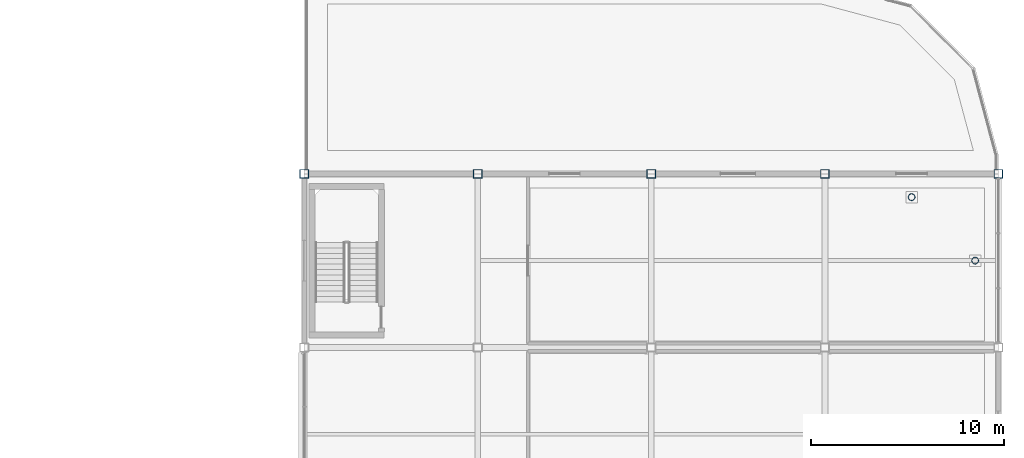
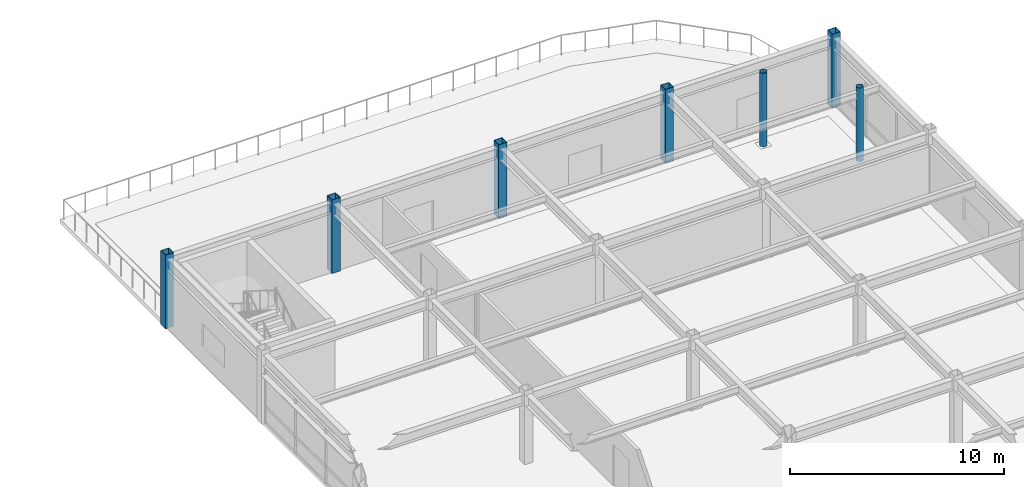
# One storey, part 22 of 108: 7 columns.
"""IFC4 building model written with IfcOpenShell, lengths in metres."""

from ifc_helpers import new_model, si_unit, direction, frame, origin, origin_2d, place, context, subcontext, project, spatial, hollow_rectangle, hollow_circle, extrude, material, material_profile, profile_set, type_object, element, save


model = new_model("IFC4")

# Units and contexts
model_context = context("Model", 3, precision=1e-05, world=origin(), true_north=direction((0.0, 1.0)))
body_context = subcontext(model_context, "Body", "Model", "MODEL_VIEW")
ifc_project = project(units=[si_unit("LENGTHUNIT", "METRE"), si_unit("AREAUNIT", "SQUARE_METRE"), si_unit("VOLUMEUNIT", "CUBIC_METRE"), si_unit("PLANEANGLEUNIT", "RADIAN"), si_unit("MASSUNIT", "GRAM", prefix="KILO")], contexts=[model_context])

# Site, building, storey
site_placement = place(None, origin())
site = spatial("IfcSite", under=ifc_project, at=site_placement, CompositionType="ELEMENT")
building_placement = place(site_placement, origin())
building = spatial("IfcBuilding", under=site, at=building_placement, Name="Suzunagisa Mobility Hub", CompositionType="ELEMENT")
storey_placement = place(building_placement, frame((0.0, 0.0, 9.300048828125)))
storey = spatial("IfcBuildingStorey", under=building, at=storey_placement, Name="L02", CompositionType="ELEMENT", Elevation=9.300048828125)

# Columns
ifc_material = material(Name="Steel SN490B", Category="steel")
ifc_material_profile_1 = material_profile(ifc_material, hollow_rectangle(XDim=0.449951171875, YDim=0.449951171875, WallThickness=0.02197265625, at=origin_2d()), Name="BCR-450x450x22")
ifc_profile_set_1 = profile_set([ifc_material_profile_1], Name="Steel SN490B")
column_type_1 = type_object("IfcColumnType", Name="Steel Column CL-17 BCR-450x450x22", PredefinedType="COLUMN", material=ifc_profile_set_1)
for number, where, z_axis, x_axis, name in (
    (1, (144.0, 98.0, 0.0), (0.0, 0.0, 1.0), (1.0, 0.0, 0.0), "L02 Column 262"),
    (2, (153.0, 98.0, 0.0), (0.0, 0.0, 1.0), (1.0, 0.0, 0.0), "L02 Column 275"),
    (3, (162.0, 98.0, 0.0), (0.0, 0.0, 1.0), (1.0, 0.0, 0.0), "L02 Column 294"),
    (4, (171.0, 98.0, 0.0), (0.0, 0.0, 1.0), (1.0, 0.0, 0.0), "L02 Column 307"),
    (5, (180.0, 98.0, 0.0), (0.0, 0.0, 1.0), (1.0, 0.0, 0.0), "L02 Column 331"),
):
    element("IfcColumn", number, at=place(storey_placement, frame(where, z_axis=z_axis, x_axis=x_axis)), inside=storey, type_object=column_type_1, Name=name, PredefinedType="COLUMN", context=body_context, shape_type="SweptSolid", body=[
        extrude(hollow_rectangle(XDim=0.449951171875, YDim=0.449951171875, WallThickness=0.02197265625, at=origin_2d()), origin(), (0.0, 0.0, 1.0), 4.199951171875),
    ])
ifc_material_profile_2 = material_profile(ifc_material, hollow_circle(Radius=0.177734375, WallThickness=0.0126953125, at=origin_2d()), Name="CHS-355.6x12.7")
ifc_profile_set_2 = profile_set([ifc_material_profile_2], Name="Steel SN490B")
column_type_2 = type_object("IfcColumnType", Name="Steel Column CL-18 CHS-355.6x12.7", PredefinedType="COLUMN", material=ifc_profile_set_2)
for number, where, z_axis, x_axis, name in (
    (6, (175.5, 96.794189453125, 0.0), (0.0, 0.0, 1.0), (1.0, 0.0, 0.0), "L02 Column 313"),
    (7, (178.794189453125, 93.5, 0.0), (0.0, 0.0, 1.0), (1.0, 0.0, 0.0), "L02 Column 319"),
):
    element("IfcColumn", number, at=place(storey_placement, frame(where, z_axis=z_axis, x_axis=x_axis)), inside=storey, type_object=column_type_2, Name=name, PredefinedType="COLUMN", context=body_context, shape_type="SweptSolid", body=[
        extrude(hollow_circle(Radius=0.177734375, WallThickness=0.0126953125, at=origin_2d()), origin(), (0.0, 0.0, 1.0), 4.199951171875),
    ])

save(model, "model.ifc")
